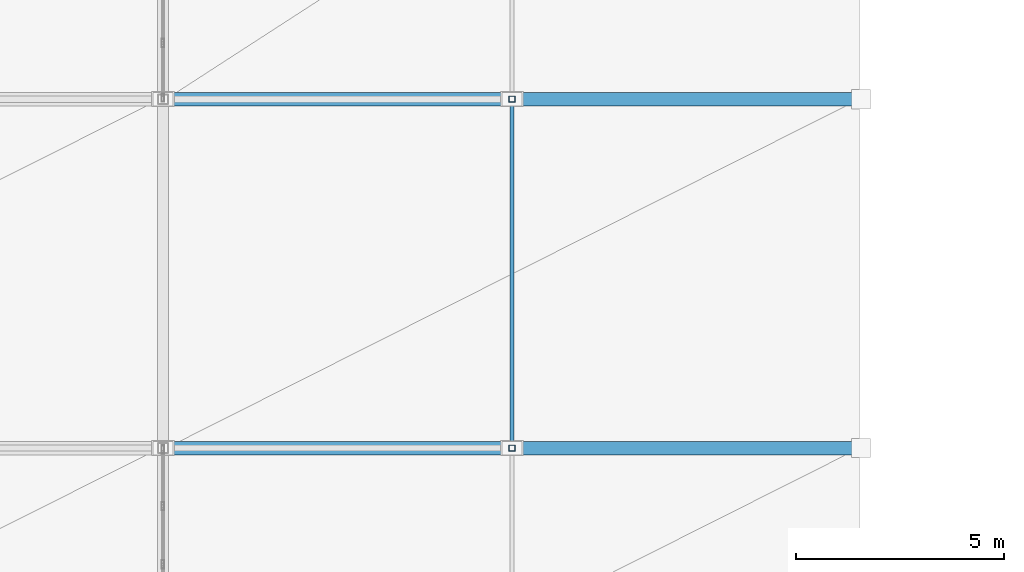
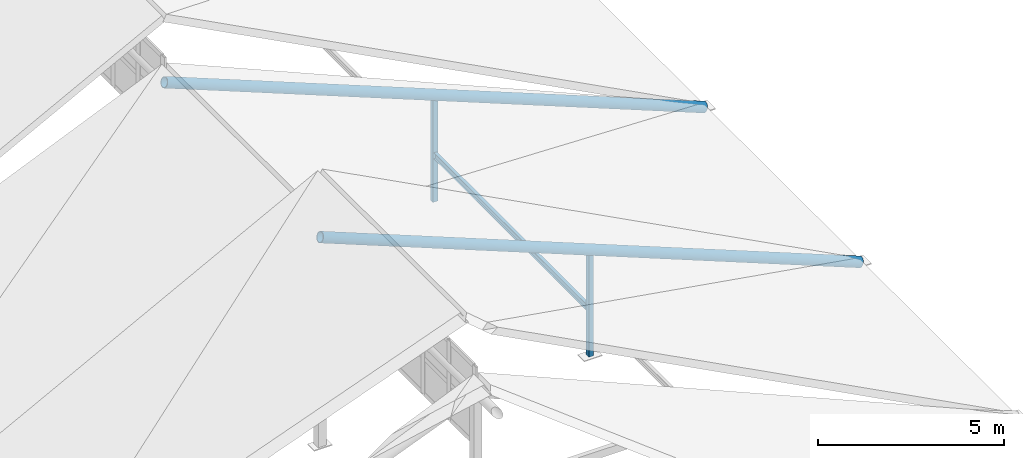
# One storey, part 34 of 76: 5 members.
"""IFC4 building model written with IfcOpenShell, lengths in metres."""

from ifc_helpers import new_model, si_unit, direction, frame, origin, origin_2d, place, context, subcontext, project, spatial, hollow_rectangle, hollow_circle, i_section, extrude, material, material_profile, profile_set, type_object, element, save


model = new_model("IFC4")

# Units and contexts
model_context = context("Model", 3, precision=1e-05, world=origin(), true_north=direction((0.0, 1.0)))
body_context = subcontext(model_context, "Body", "Model", "MODEL_VIEW")
ifc_project = project(units=[si_unit("LENGTHUNIT", "METRE"), si_unit("AREAUNIT", "SQUARE_METRE"), si_unit("VOLUMEUNIT", "CUBIC_METRE"), si_unit("PLANEANGLEUNIT", "RADIAN"), si_unit("MASSUNIT", "GRAM", prefix="KILO")], contexts=[model_context])

# Site, building, storey
site_placement = place(None, origin())
site = spatial("IfcSite", under=ifc_project, at=site_placement, CompositionType="ELEMENT")
building_placement = place(site_placement, origin())
building = spatial("IfcBuilding", under=site, at=building_placement, Name="Krzemoval Escarpment Law Courts", CompositionType="ELEMENT")
storey_placement = place(building_placement, frame((0.0, 0.0, 20.39990234375)))
storey = spatial("IfcBuildingStorey", under=building, at=storey_placement, Name="L04", CompositionType="ELEMENT", Elevation=20.39990234375)

# Members
ifc_material_1 = material(Name="Steel S355", Category="steel")
ifc_material_profile_1 = material_profile(ifc_material_1, hollow_circle(Radius=0.161865234375, WallThickness=0.01611328125, at=origin_2d()), Name="CHS 323.9x16")
ifc_profile_set_1 = profile_set([ifc_material_profile_1], Name="Steel S355")
member_type_1 = type_object("IfcMemberType", Name="MBR-CHD-CHS324", PredefinedType="CHORD", material=ifc_profile_set_1)
for number, where, z_axis, x_axis, name in (
    (1, (25.199951171875, 66.0, 6.550048828125), (0.928858805287, 0.0, -0.370433961511), (0.0, 1.0, 0.0), "Roof Rafter Chord TC-0029"),
    (2, (25.199951171875, 74.39990234375, 6.550048828125), (0.928858805287, 0.0, -0.370433961511), (0.0, 1.0, 0.0), "Roof Rafter Chord TC-0035"),
):
    element("IfcMember", number, at=place(storey_placement, frame(where, z_axis=z_axis, x_axis=x_axis)), inside=storey, type_object=member_type_1, Name=name, PredefinedType="CHORD", context=body_context, shape_type="SweptSolid", body=[
        extrude(hollow_circle(Radius=0.161865234375, WallThickness=0.01611328125, at=origin_2d()), origin(), (0.0, 0.0, 1.0), 18.086669921875),
    ])
ifc_material_2 = material(Name="Steel S355", Category="steel")
ifc_material_profile_2 = material_profile(ifc_material_2, i_section(OverallWidth=0.10009765625, OverallDepth=0.199951171875, WebThickness=0.005615234375, FlangeThickness=0.008544921875, at=origin_2d()), Name="IPE 200")
ifc_profile_set_2 = profile_set([ifc_material_profile_2], Name="Steel S355")
member_type_2 = type_object("IfcMemberType", Name="MBR-PUR-IPE200", PredefinedType="PURLIN", material=ifc_profile_set_2)
member_placement = place(storey_placement, frame((33.60009765625, 66.0, 1.25), z_axis=(0.0, 1.0, 0.0), x_axis=(-1.0, 0.0, 0.0)))
element("IfcMember", 3, at=member_placement, inside=storey, type_object=member_type_2, Name="Roof Purlin PR-0069", PredefinedType="PURLIN", context=body_context, shape_type="SweptSolid", body=[
    extrude(i_section(OverallWidth=0.10009765625, OverallDepth=0.199951171875, WebThickness=0.005615234375, FlangeThickness=0.008544921875, at=origin_2d()), origin(), (0.0, 0.0, 1.0), 8.39990234375),
])
ifc_material_3 = material(Name="Steel S355", Category="steel")
ifc_material_profile_3 = material_profile(ifc_material_3, hollow_rectangle(XDim=0.14990234375, YDim=0.14990234375, WallThickness=0.008056640625, at=origin_2d()), Name="SHS 150x150x8")
ifc_profile_set_3 = profile_set([ifc_material_profile_3], Name="Steel S355")
member_type_3 = type_object("IfcMemberType", Name="MBR-STR-SHS150", PredefinedType="STRUT", material=ifc_profile_set_3)
for number, where, z_axis, x_axis, name in (
    (4, (33.60009765625, 66.0, -0.27978515625), (0.0, 0.0, 1.0), (1.0, 0.0, 0.0), "Roof Truss Web Strut ST-0027"),
    (5, (33.60009765625, 74.39990234375, -0.27978515625), (0.0, 0.0, 1.0), (1.0, 0.0, 0.0), "Roof Truss Web Strut ST-0033"),
):
    element("IfcMember", number, at=place(storey_placement, frame(where, z_axis=z_axis, x_axis=x_axis)), inside=storey, type_object=member_type_3, Name=name, PredefinedType="STRUT", context=body_context, shape_type="SweptSolid", body=[
        extrude(hollow_rectangle(XDim=0.14990234375, YDim=0.14990234375, WallThickness=0.008056640625, at=origin_2d()), origin(), (0.0, 0.0, 1.0), 3.47998046875),
    ])

save(model, "model.ifc")
